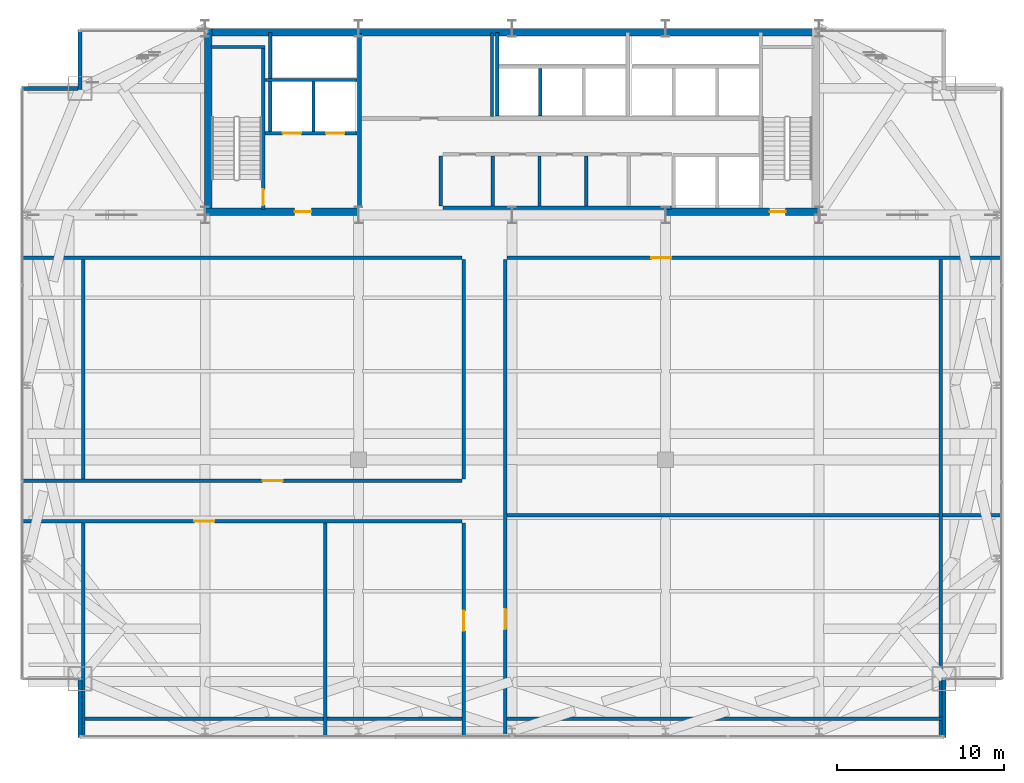
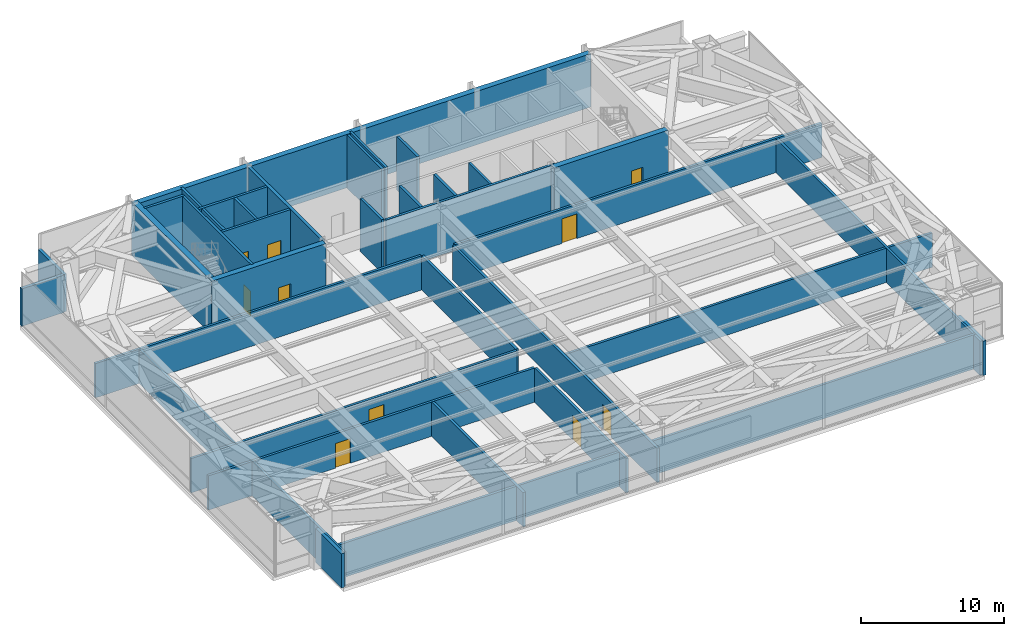
# One storey, part 30 of 32: 37 walls, 10 doors, 10 openings.
"""IFC4 building model written with IfcOpenShell, lengths in metres."""

from ifc_helpers import new_model, si_unit, direction, frame, frame_2d, origin, place, context, subcontext, project, spatial, rectangle, extrude, source, transform, mapped, material, layer, layer_set, type_object, type_shapes, element, fill, save


model = new_model("IFC4")

# Units and contexts
model_context = context("Model", 3, precision=1e-05, world=origin(), true_north=direction((0.0, 1.0)))
body_context = subcontext(model_context, "Body", "Model", "MODEL_VIEW")
ifc_project = project(units=[si_unit("LENGTHUNIT", "METRE"), si_unit("AREAUNIT", "SQUARE_METRE"), si_unit("VOLUMEUNIT", "CUBIC_METRE"), si_unit("PLANEANGLEUNIT", "RADIAN"), si_unit("MASSUNIT", "GRAM", prefix="KILO")], contexts=[model_context])

# Site, building, storey
site_placement = place(None, origin())
site = spatial("IfcSite", under=ifc_project, at=site_placement, CompositionType="ELEMENT")
building_placement = place(site_placement, origin())
building = spatial("IfcBuilding", under=site, at=building_placement, Name="Varnel Quay Broadcast Tower", CompositionType="ELEMENT")
storey_placement = place(building_placement, frame((0.0, 0.0, 141.0)))
storey = spatial("IfcBuildingStorey", under=building, at=storey_placement, Name="L34", CompositionType="ELEMENT", Elevation=141.0)

# Wall, opening, door
ifc_material_1 = material(Name="Concrete CSA A23.3 C50/60", Category="concrete")
ifc_layer_1 = layer(ifc_material_1, 0.199951171875, Name="Concrete CSA A23.3 C50/60")
ifc_layer_set_1 = layer_set([ifc_layer_1], Name="Concrete CSA A23.3 C50/60")
wall_type_1 = type_object("IfcWallType", Name="Wall_CoreShaftShear200", PredefinedType="SHEAR", material=ifc_layer_set_1)
wall_1_placement = place(storey_placement, frame((19.080078125, 35.949951171875, 0.0), z_axis=(0.0, 0.0, 1.0), x_axis=(0.0, 1.0, 0.0)))
wall_1 = element("IfcWall", 1, at=wall_1_placement, inside=storey, type_object=wall_type_1, Name="L34 Stair 1 East Structural Wall", PredefinedType="SHEAR", context=body_context, shape_type="SweptSolid", body=[
    extrude(rectangle(XDim=9.650146484375, YDim=0.199951171875, at=frame_2d((4.8251953125, 0.0))), origin(), (0.0, 0.0, 1.0), 4.550048828125),
])
opening_1_placement = place(wall_1_placement, frame((0.25, 0.0, 0.0)))
opening_1 = element("IfcOpeningElement", 2, at=opening_1_placement, cuts=wall_1, Name="Opening D-L34-S1", PredefinedType="OPENING", context=body_context, shape_type="SweptSolid", body=[
    extrude(rectangle(XDim=0.949951171875, YDim=2.10009765625, at=frame_2d((0.47509765625, 1.050048828125))), frame((0.0, 0.10986328125, 0.0), z_axis=(0.0, -1.0, 0.0), x_axis=(1.0, 0.0, 0.0)), (0.0, 0.0, 1.0), 0.219970703125),
])
ifc_material_2 = material(Name="Insulated Fire-Rated Hollow Steel Door", Category="steel")
door_type_1 = type_object("IfcDoorType", Name="Door_FireStair950", OperationType="NOTDEFINED", PredefinedType="DOOR", material=ifc_material_2)
shared_shape_1 = source(origin(), body_context, "Body", "SweptSolid", [
    extrude(rectangle(XDim=0.949951171875, YDim=2.10009765625, at=frame_2d((0.47509765625, 1.050048828125))), frame((0.0, 0.02490234375, 0.0), z_axis=(0.0, -1.0, 0.0), x_axis=(1.0, 0.0, 0.0)), (0.0, 0.0, 1.0), 0.050048828125),
])
type_shapes(door_type_1, [shared_shape_1])
door_1_placement = place(opening_1_placement, origin())
door_1 = element("IfcDoor", 3, at=door_1_placement, inside=storey, type_object=door_type_1, Name="L34 Stair 1 Fire Door", OperationType="SINGLE_SWING_RIGHT", OverallHeight=2.10009765625, OverallWidth=0.949951171875, PredefinedType="DOOR", context=body_context, shape_type="MappedRepresentation", body=[
    mapped(shared_shape_1, transform((0.0, 0.0, 0.0), x_axis=(1.0, 0.0, 0.0), y_axis=(0.0, 1.0, 0.0), z_axis=(0.0, 0.0, 1.0), scale=1.0)),
])
fill(opening_1, door_1)

# Wall
wall_2_placement = place(storey_placement, frame((15.949951171875, 45.679931640625, 0.0), z_axis=(0.0, 0.0, 1.0), x_axis=(1.0, 0.0, 0.0)))
element("IfcWall", 4, at=wall_2_placement, inside=storey, type_object=wall_type_1, Name="L34 Stair 1 North Structural Wall", PredefinedType="SHEAR", context=body_context, shape_type="SweptSolid", body=[
    extrude(rectangle(XDim=3.22998046875, YDim=0.199951171875, at=frame_2d((1.614990234375, 0.0))), origin(), (0.0, 0.0, 1.0), 4.550048828125),
])

# Wall, openings, doors
wall_3_placement = place(storey_placement, frame((19.199951171875, 40.5, 0.0), z_axis=(0.0, 0.0, 1.0), x_axis=(1.0, 0.0, 0.0)))
wall_3 = element("IfcWall", 5, at=wall_3_placement, inside=storey, type_object=wall_type_1, Name="L34 Firefighter Lift Shaft Front Wall", PredefinedType="SHEAR", context=body_context, shape_type="SweptSolid", body=[
    extrude(rectangle(XDim=5.52001953125, YDim=0.199951171875, at=frame_2d((2.760009765625, 0.0))), origin(), (0.0, 0.0, 1.0), 4.550048828125),
])
opening_2_placement = place(wall_3_placement, frame((1.050048828125, 0.0, 0.0)))
opening_2 = element("IfcOpeningElement", 6, at=opening_2_placement, cuts=wall_3, Name="Opening LD-L34-FE1", PredefinedType="OPENING", context=body_context, shape_type="SweptSolid", body=[
    extrude(rectangle(XDim=1.10009765625, YDim=2.179931640625, at=frame_2d((0.550048828125, 1.08984375))), frame((0.0, 0.10986328125, 0.0), z_axis=(0.0, -1.0, 0.0), x_axis=(1.0, 0.0, 0.0)), (0.0, 0.0, 1.0), 0.219970703125),
])
opening_3_placement = place(wall_3_placement, frame((3.64990234375, 0.0, 0.0)))
opening_3 = element("IfcOpeningElement", 7, at=opening_3_placement, cuts=wall_3, Name="Opening LD-L34-FE2", PredefinedType="OPENING", context=body_context, shape_type="SweptSolid", body=[
    extrude(rectangle(XDim=1.10009765625, YDim=2.179931640625, at=frame_2d((0.550048828125, 1.08984375))), frame((0.0, 0.10986328125, 0.0), z_axis=(0.0, -1.0, 0.0), x_axis=(1.0, 0.0, 0.0)), (0.0, 0.0, 1.0), 0.219970703125),
])
ifc_material_3 = material(Name="Brushed Bronze-Stainless Lift Car & Sliding Doors", Category="steel")
door_type_2 = type_object("IfcDoorType", Name="Door_LiftLanding1100", OperationType="SLIDING_TO_LEFT", PredefinedType="DOOR", material=ifc_material_3)
shared_shape_2 = source(origin(), body_context, "Body", "SweptSolid", [
    extrude(rectangle(XDim=1.10009765625, YDim=2.179931640625, at=frame_2d((0.550048828125, 1.08984375))), frame((0.0, 0.02490234375, 0.0), z_axis=(0.0, -1.0, 0.0), x_axis=(1.0, 0.0, 0.0)), (0.0, 0.0, 1.0), 0.050048828125),
])
type_shapes(door_type_2, [shared_shape_2])
door_2_placement = place(opening_2_placement, frame((1.10009765625, 0.0, 0.0), z_axis=(0.0, 0.0, 1.0), x_axis=(-1.0, 0.0, 0.0)))
door_2 = element("IfcDoor", 8, at=door_2_placement, inside=storey, type_object=door_type_2, Name="L34 Firefighter Lift FE-01 Landing Door", OperationType="SLIDING_TO_LEFT", OverallHeight=2.179931640625, OverallWidth=1.10009765625, PredefinedType="DOOR", context=body_context, shape_type="MappedRepresentation", body=[
    mapped(shared_shape_2, transform((0.0, 0.0, 0.0), x_axis=(1.0, 0.0, 0.0), y_axis=(0.0, 1.0, 0.0), z_axis=(0.0, 0.0, 1.0), scale=1.0)),
])
fill(opening_2, door_2)
door_3_placement = place(opening_3_placement, frame((1.10009765625, 0.0, 0.0), z_axis=(0.0, 0.0, 1.0), x_axis=(-1.0, 0.0, 0.0)))
door_3 = element("IfcDoor", 9, at=door_3_placement, inside=storey, type_object=door_type_2, Name="L34 Firefighter Lift FE-02 Landing Door", OperationType="SLIDING_TO_RIGHT", OverallHeight=2.179931640625, OverallWidth=1.10009765625, PredefinedType="DOOR", context=body_context, shape_type="MappedRepresentation", body=[
    mapped(shared_shape_2, transform((0.0, 0.0, 0.0), x_axis=(1.0, 0.0, 0.0), y_axis=(0.0, 1.0, 0.0), z_axis=(0.0, 0.0, 1.0), scale=1.0)),
])
fill(opening_3, door_3)

# Walls
wall_4_placement = place(storey_placement, frame((19.199951171875, 43.699951171875, 0.0), z_axis=(0.0, 0.0, 1.0), x_axis=(1.0, 0.0, 0.0)))
element("IfcWall", 10, at=wall_4_placement, inside=storey, type_object=wall_type_1, Name="L34 Firefighter Lift Shaft Rear Wall", PredefinedType="SHEAR", context=body_context, shape_type="SweptSolid", body=[
    extrude(rectangle(XDim=5.52001953125, YDim=0.199951171875, at=frame_2d((2.760009765625, 0.0))), origin(), (0.0, 0.0, 1.0), 4.550048828125),
])
wall_5_placement = place(storey_placement, frame((22.10009765625, 40.60009765625, 0.0), z_axis=(0.0, 0.0, 1.0), x_axis=(0.0, 1.0, 0.0)))
element("IfcWall", 11, at=wall_5_placement, inside=storey, type_object=wall_type_1, Name="L34 Firefighter Lift Shaft Divider", PredefinedType="SHEAR", context=body_context, shape_type="SweptSolid", body=[
    extrude(rectangle(XDim=3.0, YDim=0.199951171875, at=frame_2d((1.5, 0.0))), origin(), (0.0, 0.0, 1.0), 4.550048828125),
])
wall_6_placement = place(storey_placement, frame((19.5, 40.60009765625, 0.0), z_axis=(0.0, 0.0, 1.0), x_axis=(0.0, 1.0, 0.0)))
element("IfcWall", 12, at=wall_6_placement, inside=storey, type_object=wall_type_1, Name="L34 Firefighter Lift Shaft West Wall", PredefinedType="SHEAR", context=body_context, shape_type="SweptSolid", body=[
    extrude(rectangle(XDim=5.949951171875, YDim=0.199951171875, at=frame_2d((2.97509765625, 0.0))), origin(), (0.0, 0.0, 1.0), 4.550048828125),
])
wall_7_placement = place(storey_placement, frame((33.1201171875, 41.530029296875, 0.0), z_axis=(0.0, 0.0, 1.0), x_axis=(0.0, 1.0, 0.0)))
element("IfcWall", 13, at=wall_7_placement, inside=storey, type_object=wall_type_1, Name="L34 Mid-Rise Lift Shaft Divider 1", PredefinedType="SHEAR", context=body_context, shape_type="SweptSolid", body=[
    extrude(rectangle(XDim=5.02001953125, YDim=0.199951171875, at=frame_2d((2.510009765625, 0.0))), origin(), (0.0, 0.0, 1.0), 4.550048828125),
])
wall_8_placement = place(storey_placement, frame((35.699951171875, 41.530029296875, 0.0), z_axis=(0.0, 0.0, 1.0), x_axis=(0.0, 1.0, 0.0)))
element("IfcWall", 14, at=wall_8_placement, inside=storey, type_object=wall_type_1, Name="L34 Mid-Rise Lift Shaft Divider 2", PredefinedType="SHEAR", context=body_context, shape_type="SweptSolid", body=[
    extrude(rectangle(XDim=2.869873046875, YDim=0.199951171875, at=frame_2d((1.43505859375, 0.0))), origin(), (0.0, 0.0, 1.0), 4.550048828125),
])
ifc_layer_2 = layer(ifc_material_1, 0.25, Name="Concrete CSA A23.3 C50/60")
ifc_layer_set_2 = layer_set([ifc_layer_2], Name="Concrete CSA A23.3 C50/60")
wall_type_2 = type_object("IfcWallType", Name="Wall_CoreShaftShear250", PredefinedType="SHEAR", material=ifc_layer_set_2)
wall_9_placement = place(storey_placement, frame((24.85009765625, 36.050048828125, 0.0), z_axis=(0.0, 0.0, 1.0), x_axis=(0.0, 1.0, 0.0)))
element("IfcWall", 15, at=wall_9_placement, inside=storey, type_object=wall_type_2, Name="L34 Firefighting Lobby East Structural Wall", PredefinedType="SHEAR", context=body_context, shape_type="SweptSolid", body=[
    extrude(rectangle(XDim=10.449951171875, YDim=0.25, at=frame_2d((5.22509765625, 0.0))), origin(), (0.0, 0.0, 1.0), 4.550048828125),
])
ifc_material_4 = material(Name="Concrete CSA A23.3 C60/75", Category="concrete")
ifc_layer_3 = layer(ifc_material_4, 0.449951171875, Name="Concrete CSA A23.3 C60/75")
ifc_layer_set_3 = layer_set([ifc_layer_3], Name="Concrete CSA A23.3 C60/75")
wall_type_3 = type_object("IfcWallType", Name="Wall_CoreShearExt450", PredefinedType="SHEAR", material=ifc_layer_set_3)
wall_10_placement = place(storey_placement, frame((15.60009765625, 46.574951171875, 0.0), z_axis=(0.0, 0.0, 1.0), x_axis=(1.0, 0.0, 0.0)))
element("IfcWall", 16, at=wall_10_placement, inside=storey, type_object=wall_type_3, Name="L34 North Core Shear Wall", PredefinedType="SHEAR", context=body_context, shape_type="SweptSolid", body=[
    extrude(rectangle(XDim=36.7998046875, YDim=0.449951171875, at=frame_2d((18.39990234375, 0.0))), origin(), (0.0, 0.0, 1.0), 4.550048828125),
])
ifc_layer_4 = layer(ifc_material_4, 0.449951171875, Name="Concrete CSA A23.3 C60/75")
ifc_layer_set_4 = layer_set([ifc_layer_4], Name="Concrete CSA A23.3 C60/75")
wall_type_4 = type_object("IfcWallType", Name="Wall_CoreShearInt450", PredefinedType="SHEAR", material=ifc_layer_set_4)
wall_11_placement = place(storey_placement, frame((15.794921875, 35.570068359375, 0.0), z_axis=(0.0, 0.0, 1.0), x_axis=(0.0, 1.0, 0.0)))
element("IfcWall", 17, at=wall_11_placement, inside=storey, type_object=wall_type_4, Name="L34 West Core Shear Wall", PredefinedType="SHEAR", context=body_context, shape_type="SweptSolid", body=[
    extrude(rectangle(XDim=11.22998046875, YDim=0.449951171875, at=frame_2d((5.614990234375, 0.0))), origin(), (0.0, 0.0, 1.0), 4.550048828125),
])

# Wall, opening, door
wall_12_placement = place(storey_placement, frame((15.570068359375, 35.794921875, 0.0), z_axis=(0.0, 0.0, 1.0), x_axis=(1.0, 0.0, 0.0)))
wall_12 = element("IfcWall", 18, at=wall_12_placement, inside=storey, type_object=wall_type_4, Name="L34 South-West Core Shear Wall", PredefinedType="SHEAR", context=body_context, shape_type="SweptSolid", body=[
    extrude(rectangle(XDim=9.22998046875, YDim=0.449951171875, at=frame_2d((4.614990234375, 0.0))), origin(), (0.0, 0.0, 1.0), 4.550048828125),
])
opening_4_placement = place(wall_12_placement, frame((5.39990234375, 0.0, 0.0)))
opening_4 = element("IfcOpeningElement", 19, at=opening_4_placement, cuts=wall_12, Name="Opening D-L34-FFL", PredefinedType="OPENING", context=body_context, shape_type="SweptSolid", body=[
    extrude(rectangle(XDim=1.0, YDim=2.10009765625, at=frame_2d((0.5, 1.050048828125))), frame((0.0, 0.23486328125, 0.0), z_axis=(0.0, -1.0, 0.0), x_axis=(1.0, 0.0, 0.0)), (0.0, 0.0, 1.0), 0.469970703125),
])
door_type_3 = type_object("IfcDoorType", Name="Door_FireLobby1000", OperationType="NOTDEFINED", PredefinedType="DOOR", material=ifc_material_2)
shared_shape_3 = source(origin(), body_context, "Body", "SweptSolid", [
    extrude(rectangle(XDim=1.0, YDim=2.10009765625, at=frame_2d((0.5, 1.050048828125))), frame((0.0, 0.02490234375, 0.0), z_axis=(0.0, -1.0, 0.0), x_axis=(1.0, 0.0, 0.0)), (0.0, 0.0, 1.0), 0.050048828125),
])
type_shapes(door_type_3, [shared_shape_3])
door_4_placement = place(opening_4_placement, origin())
door_4 = element("IfcDoor", 20, at=door_4_placement, inside=storey, type_object=door_type_3, Name="L34 Firefighting Lobby Door", OperationType="SINGLE_SWING_LEFT", OverallHeight=2.10009765625, OverallWidth=1.0, PredefinedType="DOOR", context=body_context, shape_type="MappedRepresentation", body=[
    mapped(shared_shape_3, transform((0.0, 0.0, 0.0), x_axis=(1.0, 0.0, 0.0), y_axis=(0.0, 1.0, 0.0), z_axis=(0.0, 0.0, 1.0), scale=1.0)),
])
fill(opening_4, door_4)

wall_13_placement = place(storey_placement, frame((43.199951171875, 35.794921875, 0.0), z_axis=(0.0, 0.0, 1.0), x_axis=(1.0, 0.0, 0.0)))
wall_13 = element("IfcWall", 21, at=wall_13_placement, inside=storey, type_object=wall_type_4, Name="L34 South-East Core Shear Wall", PredefinedType="SHEAR", context=body_context, shape_type="SweptSolid", body=[
    extrude(rectangle(XDim=9.22998046875, YDim=0.449951171875, at=frame_2d((4.614990234375, 0.0))), origin(), (0.0, 0.0, 1.0), 4.550048828125),
])
opening_5_placement = place(wall_13_placement, frame((6.25, 0.0, 0.0)))
opening_5 = element("IfcOpeningElement", 22, at=opening_5_placement, cuts=wall_13, Name="Opening D-L34-S2", PredefinedType="OPENING", context=body_context, shape_type="SweptSolid", body=[
    extrude(rectangle(XDim=0.949951171875, YDim=2.10009765625, at=frame_2d((0.47509765625, 1.050048828125))), frame((0.0, 0.23486328125, 0.0), z_axis=(0.0, -1.0, 0.0), x_axis=(1.0, 0.0, 0.0)), (0.0, 0.0, 1.0), 0.469970703125),
])
door_5_placement = place(opening_5_placement, origin())
door_5 = element("IfcDoor", 23, at=door_5_placement, inside=storey, type_object=door_type_1, Name="L34 Stair 2 Fire Door", OperationType="SINGLE_SWING_RIGHT", OverallHeight=2.10009765625, OverallWidth=0.949951171875, PredefinedType="DOOR", context=body_context, shape_type="MappedRepresentation", body=[
    mapped(shared_shape_1, transform((0.0, 0.0, 0.0), x_axis=(1.0, 0.0, 0.0), y_axis=(0.0, 1.0, 0.0), z_axis=(0.0, 0.0, 1.0), scale=1.0)),
])
fill(opening_5, door_5)

# Walls
ifc_material_5 = material(Name="Precast Architectural Concrete C40/50", Category="concrete")
ifc_layer_5 = layer(ifc_material_5, 0.25, Name="Precast Architectural Concrete C40/50")
ifc_layer_set_5 = layer_set([ifc_layer_5], Name="Precast Architectural Concrete C40/50")
wall_type_5 = type_object("IfcWallType", Name="Wall_ExtTerrace250", PredefinedType="SOLIDWALL", material=ifc_layer_set_5)
for number, where, z_axis, x_axis, name in (
    (24, (8.10009765625, 4.280029296875, 0.0), (0.0, 0.0, 1.0), (0.0, 1.0, 0.0), "L34 Mega-Column Notch Cladding Wall NSW2"),
    (25, (59.89990234375, 4.280029296875, 0.0), (0.0, 0.0, 1.0), (0.0, 1.0, 0.0), "L34 Mega-Column Notch Cladding Wall NSE2"),
):
    element("IfcWall", number, at=place(storey_placement, frame(where, z_axis=z_axis, x_axis=x_axis)), inside=storey, type_object=wall_type_5, Name=name, PredefinedType="SOLIDWALL", context=body_context, shape_type="SweptSolid", body=[
        extrude(rectangle(XDim=3.599853515625, YDim=0.25, at=frame_2d((1.7998046875, 0.0))), origin(), (0.0, 0.0, 1.0), 2.925048828125),
    ])
wall_14_placement = place(storey_placement, frame((4.580078125, 43.199951171875, 0.0), z_axis=(0.0, 0.0, 1.0), x_axis=(1.0, 0.0, 0.0)))
element("IfcWall", 26, at=wall_14_placement, inside=storey, type_object=wall_type_5, Name="L34 Mega-Column Notch Cladding Wall NNW1", PredefinedType="SOLIDWALL", context=body_context, shape_type="SweptSolid", body=[
    extrude(rectangle(XDim=3.389892578125, YDim=0.25, at=frame_2d((1.69482421875, 0.0))), origin(), (0.0, 0.0, 1.0), 3.195068359375),
])
wall_15_placement = place(storey_placement, frame((8.10009765625, 43.1201171875, 0.0), z_axis=(0.0, 0.0, 1.0), x_axis=(0.0, 1.0, 0.0)))
element("IfcWall", 27, at=wall_15_placement, inside=storey, type_object=wall_type_5, Name="L34 Mega-Column Notch Cladding Wall NNW2", PredefinedType="SOLIDWALL", context=body_context, shape_type="SweptSolid", body=[
    extrude(rectangle(XDim=3.599853515625, YDim=0.25, at=frame_2d((1.7998046875, 0.0))), origin(), (0.0, 0.0, 1.0), 3.195068359375),
])
ifc_material_6 = material(Name="Concrete Blockwork Fire Enclosure C40/50", Category="masonry")
ifc_layer_6 = layer(ifc_material_6, 0.199951171875, Name="Concrete Blockwork Fire Enclosure C40/50")
ifc_layer_set_6 = layer_set([ifc_layer_6], Name="Concrete Blockwork Fire Enclosure C40/50")
wall_type_6 = type_object("IfcWallType", Name="Wall_FireShaft200", PredefinedType="SOLIDWALL", material=ifc_layer_set_6)
wall_16_placement = place(storey_placement, frame((29.85009765625, 36.050048828125, 0.0), z_axis=(0.0, 0.0, 1.0), x_axis=(1.0, 0.0, 0.0)))
element("IfcWall", 28, at=wall_16_placement, inside=storey, type_object=wall_type_6, Name="L34 Plant Floor Accessible Washroom Partition 1", PredefinedType="SOLIDWALL", context=body_context, shape_type="SweptSolid", body=[
    extrude(rectangle(XDim=13.699951171875, YDim=0.199951171875, at=frame_2d((6.85009765625, 0.0))), origin(), (0.0, 0.0, 1.0), 4.530029296875),
])
for number, where, z_axis, x_axis, name in (
    (29, (32.85009765625, 36.14990234375, 0.0), (0.0, 0.0, 1.0), (0.0, 1.0, 0.0), "L34 Plant Floor Accessible Washroom Partition 2"),
    (30, (29.72509765625, 36.14990234375, 0.0), (0.0, 0.0, 1.0), (0.0, 1.0, 0.0), "L34 Plant Floor Accessible Washroom Partition 4"),
    (31, (35.64990234375, 36.14990234375, 0.0), (0.0, 0.0, 1.0), (0.0, 1.0, 0.0), "L34 Mechanical West Washroom Partition 5"),
    (32, (38.449951171875, 36.14990234375, 0.0), (0.0, 0.0, 1.0), (0.0, 1.0, 0.0), "L34 Mechanical East Washroom Partition 6"),
):
    element("IfcWall", number, at=place(storey_placement, frame(where, z_axis=z_axis, x_axis=x_axis)), inside=storey, type_object=wall_type_6, Name=name, PredefinedType="SOLIDWALL", context=body_context, shape_type="SweptSolid", body=[
        extrude(rectangle(XDim=3.0, YDim=0.199951171875, at=frame_2d((1.5, 0.0))), origin(), (0.0, 0.0, 1.0), 4.530029296875),
    ])

# Wall, opening, door
wall_17_placement = place(storey_placement, frame((4.679931640625, 19.675048828125, 0.0), z_axis=(0.0, 0.0, 1.0), x_axis=(1.0, 0.0, 0.0)))
wall_17 = element("IfcWall", 33, at=wall_17_placement, inside=storey, type_object=wall_type_6, Name="L34 L34 West Protected Refuge Area Partition 8", PredefinedType="SOLIDWALL", context=body_context, shape_type="SweptSolid", body=[
    extrude(rectangle(XDim=26.320068359375, YDim=0.199951171875, at=frame_2d((13.16015625, 0.0))), origin(), (0.0, 0.0, 1.0), 2.925048828125),
])
opening_6_placement = place(wall_17_placement, frame((14.3701171875, 0.0, 0.0)))
opening_6 = element("IfcOpeningElement", 34, at=opening_6_placement, cuts=wall_17, Name="Opening D-L34-06", PredefinedType="OPENING", context=body_context, shape_type="SweptSolid", body=[
    extrude(rectangle(XDim=1.199951171875, YDim=2.10009765625, at=frame_2d((0.60009765625, 1.050048828125))), frame((0.0, 0.10986328125, 0.0), z_axis=(0.0, -1.0, 0.0), x_axis=(1.0, 0.0, 0.0)), (0.0, 0.0, 1.0), 0.219970703125),
])
door_type_4 = type_object("IfcDoorType", Name="Door_Plant1200", OperationType="NOTDEFINED", PredefinedType="DOOR", material=ifc_material_2)
shared_shape_4 = source(origin(), body_context, "Body", "SweptSolid", [
    extrude(rectangle(XDim=1.199951171875, YDim=2.10009765625, at=frame_2d((0.60009765625, 1.050048828125))), frame((0.0, 0.02490234375, 0.0), z_axis=(0.0, -1.0, 0.0), x_axis=(1.0, 0.0, 0.0)), (0.0, 0.0, 1.0), 0.050048828125),
])
type_shapes(door_type_4, [shared_shape_4])
door_6_placement = place(opening_6_placement, frame((1.199951171875, 0.0, 0.0), z_axis=(0.0, 0.0, 1.0), x_axis=(-1.0, 0.0, 0.0)))
door_6 = element("IfcDoor", 35, at=door_6_placement, inside=storey, type_object=door_type_4, Name="L34 L34 West Protected Refuge Area Door D-L34-06", OperationType="SINGLE_SWING_LEFT", OverallHeight=2.10009765625, OverallWidth=1.199951171875, PredefinedType="DOOR", context=body_context, shape_type="MappedRepresentation", body=[
    mapped(shared_shape_4, transform((0.0, 0.0, 0.0), x_axis=(1.0, 0.0, 0.0), y_axis=(0.0, 1.0, 0.0), z_axis=(0.0, 0.0, 1.0), scale=1.0)),
])
fill(opening_6, door_6)

# Walls
wall_18_placement = place(storey_placement, frame((31.10009765625, 19.77490234375, 0.0), z_axis=(0.0, 0.0, 1.0), x_axis=(0.0, 1.0, 0.0)))
element("IfcWall", 36, at=wall_18_placement, inside=storey, type_object=wall_type_6, Name="L34 L34 West Protected Refuge Area Partition 9", PredefinedType="SOLIDWALL", context=body_context, shape_type="SweptSolid", body=[
    extrude(rectangle(XDim=13.175048828125, YDim=0.199951171875, at=frame_2d((6.58740234375, 0.0))), origin(), (0.0, 0.0, 1.0), 2.925048828125),
])
wall_19_placement = place(storey_placement, frame((4.679931640625, 33.050048828125, 0.0), z_axis=(0.0, 0.0, 1.0), x_axis=(1.0, 0.0, 0.0)))
element("IfcWall", 37, at=wall_19_placement, inside=storey, type_object=wall_type_6, Name="L34 L34 West Protected Refuge Area Partition 10", PredefinedType="SOLIDWALL", context=body_context, shape_type="SweptSolid", body=[
    extrude(rectangle(XDim=26.320068359375, YDim=0.199951171875, at=frame_2d((13.16015625, 0.0))), origin(), (0.0, 0.0, 1.0), 2.925048828125),
])
wall_20_placement = place(storey_placement, frame((8.300048828125, 19.77490234375, 0.0), z_axis=(0.0, 0.0, 1.0), x_axis=(0.0, 1.0, 0.0)))
element("IfcWall", 38, at=wall_20_placement, inside=storey, type_object=wall_type_6, Name="L34 L34 West Protected Refuge Area Partition 11", PredefinedType="SOLIDWALL", context=body_context, shape_type="SweptSolid", body=[
    extrude(rectangle(XDim=13.175048828125, YDim=0.199951171875, at=frame_2d((6.58740234375, 0.0))), origin(), (0.0, 0.0, 1.0), 2.925048828125),
])
wall_21_placement = place(storey_placement, frame((33.699951171875, 17.60009765625, 0.0), z_axis=(0.0, 0.0, 1.0), x_axis=(1.0, 0.0, 0.0)))
element("IfcWall", 39, at=wall_21_placement, inside=storey, type_object=wall_type_6, Name="L34 L34 East Protected Refuge Area Partition 12", PredefinedType="SOLIDWALL", context=body_context, shape_type="SweptSolid", body=[
    extrude(rectangle(XDim=29.6201171875, YDim=0.199951171875, at=frame_2d((14.81005859375, 0.0))), origin(), (0.0, 0.0, 1.0), 2.925048828125),
])
wall_22_placement = place(storey_placement, frame((59.699951171875, 4.3798828125, 0.0), z_axis=(0.0, 0.0, 1.0), x_axis=(0.0, 1.0, 0.0)))
element("IfcWall", 40, at=wall_22_placement, inside=storey, type_object=wall_type_6, Name="L34 L34 East Protected Refuge Area Partition 13", PredefinedType="SOLIDWALL", context=body_context, shape_type="SweptSolid", body=[
    extrude(rectangle(XDim=28.570068359375, YDim=0.199951171875, at=frame_2d((14.28515625, 0.0))), origin(), (0.0, 0.0, 1.0), 2.925048828125),
])

# Wall, opening, door
wall_23_placement = place(storey_placement, frame((33.699951171875, 33.050048828125, 0.0), z_axis=(0.0, 0.0, 1.0), x_axis=(1.0, 0.0, 0.0)))
wall_23 = element("IfcWall", 41, at=wall_23_placement, inside=storey, type_object=wall_type_6, Name="L34 L34 East Protected Refuge Area Partition 14", PredefinedType="SOLIDWALL", context=body_context, shape_type="SweptSolid", body=[
    extrude(rectangle(XDim=29.6201171875, YDim=0.199951171875, at=frame_2d((14.81005859375, 0.0))), origin(), (0.0, 0.0, 1.0), 2.925048828125),
])
opening_7_placement = place(wall_23_placement, frame((8.64990234375, 0.0, 0.0)))
opening_7 = element("IfcOpeningElement", 42, at=opening_7_placement, cuts=wall_23, Name="Opening D-L34-07", PredefinedType="OPENING", context=body_context, shape_type="SweptSolid", body=[
    extrude(rectangle(XDim=1.199951171875, YDim=2.10009765625, at=frame_2d((0.60009765625, 1.050048828125))), frame((0.0, 0.10986328125, 0.0), z_axis=(0.0, -1.0, 0.0), x_axis=(1.0, 0.0, 0.0)), (0.0, 0.0, 1.0), 0.219970703125),
])
door_7_placement = place(opening_7_placement, origin())
door_7 = element("IfcDoor", 43, at=door_7_placement, inside=storey, type_object=door_type_4, Name="L34 L34 East Protected Refuge Area Door D-L34-07", OperationType="SINGLE_SWING_RIGHT", OverallHeight=2.10009765625, OverallWidth=1.199951171875, PredefinedType="DOOR", context=body_context, shape_type="MappedRepresentation", body=[
    mapped(shared_shape_4, transform((0.0, 0.0, 0.0), x_axis=(1.0, 0.0, 0.0), y_axis=(0.0, 1.0, 0.0), z_axis=(0.0, 0.0, 1.0), scale=1.0)),
])
fill(opening_7, door_7)

wall_24_placement = place(storey_placement, frame((33.60009765625, 4.3798828125, 0.0), z_axis=(0.0, 0.0, 1.0), x_axis=(0.0, 1.0, 0.0)))
wall_24 = element("IfcWall", 44, at=wall_24_placement, inside=storey, type_object=wall_type_6, Name="L34 L34 East Protected Refuge Area Partition 15", PredefinedType="SOLIDWALL", context=body_context, shape_type="SweptSolid", body=[
    extrude(rectangle(XDim=28.570068359375, YDim=0.199951171875, at=frame_2d((14.28515625, 0.0))), origin(), (0.0, 0.0, 1.0), 2.925048828125),
])
opening_8_placement = place(wall_24_placement, frame((6.39501953125, 0.0, 0.0)))
opening_8 = element("IfcOpeningElement", 45, at=opening_8_placement, cuts=wall_24, Name="Opening D-L34-10", PredefinedType="OPENING", context=body_context, shape_type="SweptSolid", body=[
    extrude(rectangle(XDim=1.199951171875, YDim=2.10009765625, at=frame_2d((0.60009765625, 1.050048828125))), frame((0.0, 0.10986328125, 0.0), z_axis=(0.0, -1.0, 0.0), x_axis=(1.0, 0.0, 0.0)), (0.0, 0.0, 1.0), 0.219970703125),
])
door_8_placement = place(opening_8_placement, origin())
door_8 = element("IfcDoor", 46, at=door_8_placement, inside=storey, type_object=door_type_4, Name="L34 L34 Electrical Transformer Substation Plant Room Door D-L34-10", OperationType="SINGLE_SWING_LEFT", OverallHeight=2.10009765625, OverallWidth=1.199951171875, PredefinedType="DOOR", context=body_context, shape_type="MappedRepresentation", body=[
    mapped(shared_shape_4, transform((0.0, 0.0, 0.0), x_axis=(1.0, 0.0, 0.0), y_axis=(0.0, 1.0, 0.0), z_axis=(0.0, 0.0, 1.0), scale=1.0)),
])
fill(opening_8, door_8)

# Walls
wall_25_placement = place(storey_placement, frame((8.219970703125, 5.39990234375, 0.0), z_axis=(0.0, 0.0, 1.0), x_axis=(1.0, 0.0, 0.0)))
element("IfcWall", 47, at=wall_25_placement, inside=storey, type_object=wall_type_6, Name="L34 L34 Mechanical AHU Plant Room Partition 16", PredefinedType="SOLIDWALL", context=body_context, shape_type="SweptSolid", body=[
    extrude(rectangle(XDim=22.780029296875, YDim=0.199951171875, at=frame_2d((11.39013671875, 0.0))), origin(), (0.0, 0.0, 1.0), 2.925048828125),
])
wall_26_placement = place(storey_placement, frame((22.800048828125, 4.3798828125, 0.0), z_axis=(0.0, 0.0, 1.0), x_axis=(0.0, 1.0, 0.0)))
element("IfcWall", 48, at=wall_26_placement, inside=storey, type_object=wall_type_6, Name="L34 L34 Mechanical AHU Plant Room Partition 17", PredefinedType="SOLIDWALL", context=body_context, shape_type="SweptSolid", body=[
    extrude(rectangle(XDim=12.77001953125, YDim=0.199951171875, at=frame_2d((6.385009765625, 0.0))), origin(), (0.0, 0.0, 1.0), 2.925048828125),
])

# Wall, opening, door
wall_27_placement = place(storey_placement, frame((4.679931640625, 17.25, 0.0), z_axis=(0.0, 0.0, 1.0), x_axis=(1.0, 0.0, 0.0)))
wall_27 = element("IfcWall", 49, at=wall_27_placement, inside=storey, type_object=wall_type_6, Name="L34 L34 Mechanical AHU Plant Room Partition 18", PredefinedType="SOLIDWALL", context=body_context, shape_type="SweptSolid", body=[
    extrude(rectangle(XDim=26.320068359375, YDim=0.199951171875, at=frame_2d((13.16015625, 0.0))), origin(), (0.0, 0.0, 1.0), 2.925048828125),
])
opening_9_placement = place(wall_27_placement, frame((10.27001953125, 0.0, 0.0)))
opening_9 = element("IfcOpeningElement", 50, at=opening_9_placement, cuts=wall_27, Name="Opening D-L34-08", PredefinedType="OPENING", context=body_context, shape_type="SweptSolid", body=[
    extrude(rectangle(XDim=1.199951171875, YDim=2.10009765625, at=frame_2d((0.60009765625, 1.050048828125))), frame((0.0, 0.10986328125, 0.0), z_axis=(0.0, -1.0, 0.0), x_axis=(1.0, 0.0, 0.0)), (0.0, 0.0, 1.0), 0.219970703125),
])
door_9_placement = place(opening_9_placement, origin())
door_9 = element("IfcDoor", 51, at=door_9_placement, inside=storey, type_object=door_type_4, Name="L34 L34 Mechanical AHU Plant Room Door D-L34-08", OperationType="SINGLE_SWING_LEFT", OverallHeight=2.10009765625, OverallWidth=1.199951171875, PredefinedType="DOOR", context=body_context, shape_type="MappedRepresentation", body=[
    mapped(shared_shape_4, transform((0.0, 0.0, 0.0), x_axis=(1.0, 0.0, 0.0), y_axis=(0.0, 1.0, 0.0), z_axis=(0.0, 0.0, 1.0), scale=1.0)),
])
fill(opening_9, door_9)

# Wall
wall_28_placement = place(storey_placement, frame((8.300048828125, 4.3798828125, 0.0), z_axis=(0.0, 0.0, 1.0), x_axis=(0.0, 1.0, 0.0)))
element("IfcWall", 52, at=wall_28_placement, inside=storey, type_object=wall_type_6, Name="L34 L34 Mechanical AHU Plant Room Partition 19", PredefinedType="SOLIDWALL", context=body_context, shape_type="SweptSolid", body=[
    extrude(rectangle(XDim=12.77001953125, YDim=0.199951171875, at=frame_2d((6.385009765625, 0.0))), origin(), (0.0, 0.0, 1.0), 2.925048828125),
])

# Wall, opening, door
wall_29_placement = place(storey_placement, frame((31.10009765625, 4.3798828125, 0.0), z_axis=(0.0, 0.0, 1.0), x_axis=(0.0, 1.0, 0.0)))
wall_29 = element("IfcWall", 53, at=wall_29_placement, inside=storey, type_object=wall_type_6, Name="L34 L34 Hydronic Heat-Exchanger Plant Room Partition 20", PredefinedType="SOLIDWALL", context=body_context, shape_type="SweptSolid", body=[
    extrude(rectangle(XDim=12.77001953125, YDim=0.199951171875, at=frame_2d((6.385009765625, 0.0))), origin(), (0.0, 0.0, 1.0), 2.925048828125),
])
opening_10_placement = place(wall_29_placement, frame((6.294921875, 0.0, 0.0)))
opening_10 = element("IfcOpeningElement", 54, at=opening_10_placement, cuts=wall_29, Name="Opening D-L34-09", PredefinedType="OPENING", context=body_context, shape_type="SweptSolid", body=[
    extrude(rectangle(XDim=1.199951171875, YDim=2.10009765625, at=frame_2d((0.60009765625, 1.050048828125))), frame((0.0, 0.10986328125, 0.0), z_axis=(0.0, -1.0, 0.0), x_axis=(1.0, 0.0, 0.0)), (0.0, 0.0, 1.0), 0.219970703125),
])
door_10_placement = place(opening_10_placement, frame((1.199951171875, 0.0, 0.0), z_axis=(0.0, 0.0, 1.0), x_axis=(-1.0, 0.0, 0.0)))
door_10 = element("IfcDoor", 55, at=door_10_placement, inside=storey, type_object=door_type_4, Name="L34 L34 Hydronic Heat-Exchanger Plant Room Door D-L34-09", OperationType="SINGLE_SWING_RIGHT", OverallHeight=2.10009765625, OverallWidth=1.199951171875, PredefinedType="DOOR", context=body_context, shape_type="MappedRepresentation", body=[
    mapped(shared_shape_4, transform((0.0, 0.0, 0.0), x_axis=(1.0, 0.0, 0.0), y_axis=(0.0, 1.0, 0.0), z_axis=(0.0, 0.0, 1.0), scale=1.0)),
])
fill(opening_10, door_10)

# Walls
wall_30_placement = place(storey_placement, frame((33.699951171875, 5.39990234375, 0.0), z_axis=(0.0, 0.0, 1.0), x_axis=(1.0, 0.0, 0.0)))
element("IfcWall", 56, at=wall_30_placement, inside=storey, type_object=wall_type_6, Name="L34 L34 Electrical Transformer Substation Plant Room Partition 21", PredefinedType="SOLIDWALL", context=body_context, shape_type="SweptSolid", body=[
    extrude(rectangle(XDim=26.080078125, YDim=0.199951171875, at=frame_2d((13.0400390625, 0.0))), origin(), (0.0, 0.0, 1.0), 2.925048828125),
])
wall_31_placement = place(storey_placement, frame((32.800048828125, 41.5, 0.0), z_axis=(0.0, 0.0, 1.0), x_axis=(0.0, 1.0, 0.0)))
element("IfcWall", 57, at=wall_31_placement, inside=storey, type_object=wall_type_6, Name="L34 L34 Mechanical Exhaust Plenum A Partition 22", PredefinedType="SOLIDWALL", context=body_context, shape_type="SweptSolid", body=[
    extrude(rectangle(XDim=5.02001953125, YDim=0.199951171875, at=frame_2d((2.510009765625, 0.0))), origin(), (0.0, 0.0, 1.0), 4.530029296875),
])

save(model, "model.ifc")
